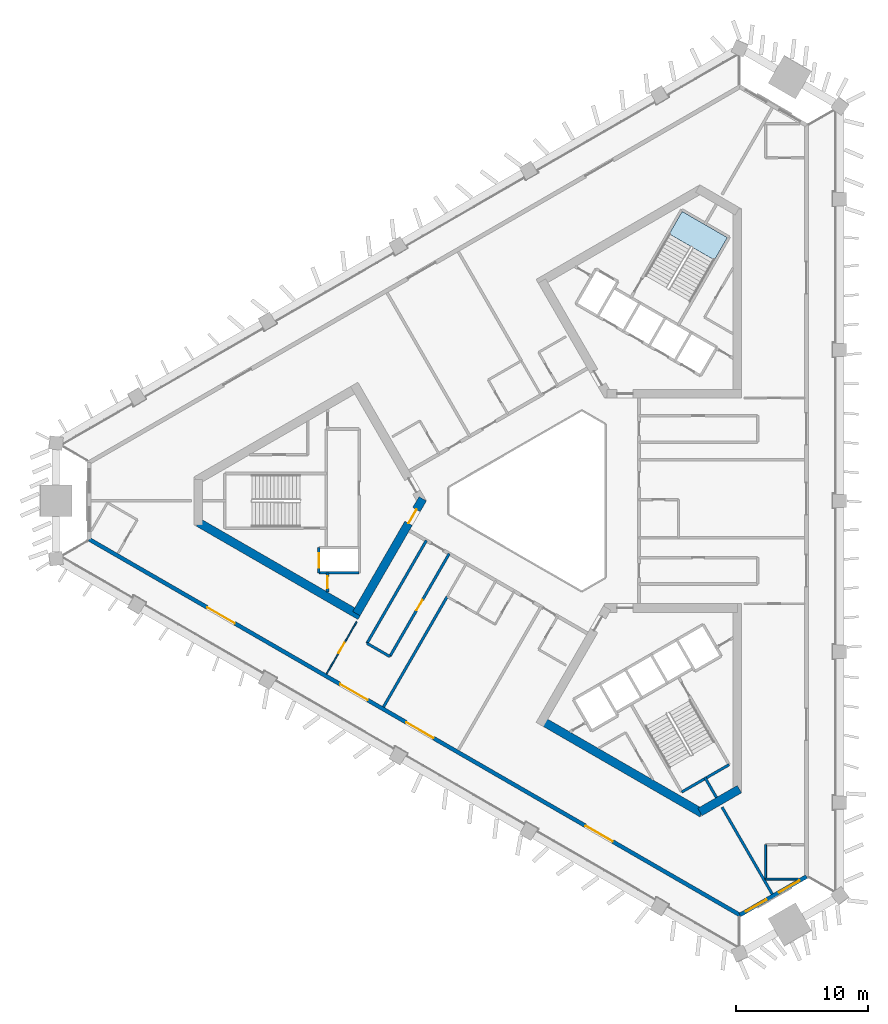
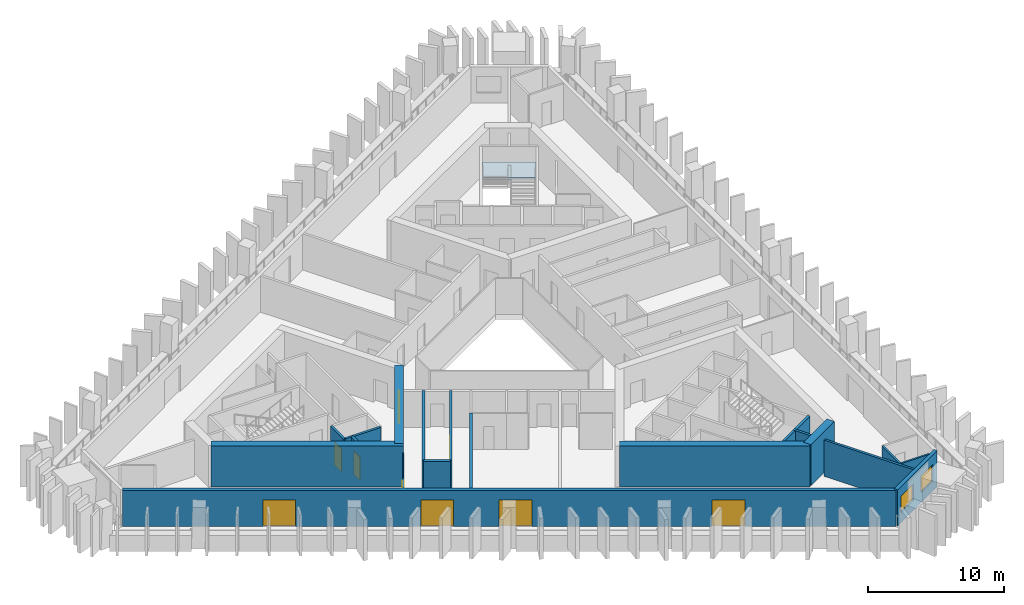
# One storey, part 2 of 11: 19 walls, 9 doors, 2 windows, 1 slab, 11 openings, 1 element without a shape of its own.
"""IFC4 building model written with IfcOpenShell, lengths in metres."""

import ifcopenshell
import ifcopenshell.guid

model = None  # the IFC model being written
_history = None  # IfcOwnerHistory: only IFC2X3 demands one
_inside = {}  # id of a spatial element -> (the spatial element, [elements in it])
_under = {}  # id of a project, library or spatial element -> (it, [spatial elements below it])
_declared = {}  # id of a project -> (the project, [libraries it declares])
_typed = {}  # id of a type object -> (the type object, [elements of that type])
_made_of = {}  # id of a material, layer set ... -> (it, [elements and type objects made of it])


def new_model(schema):
    """Start an empty IFC model of exactly this schema.

    Asked for "IFC4X3", IfcOpenShell would pick the latest addendum, in which some entities
    have other attributes; the version numbers below select the first issue.
    IFC2X3 requires an IfcOwnerHistory on every rooted entity: one is made here for all.
    """
    global model, _history
    if schema == "IFC4X3":
        model = ifcopenshell.file(schema_version=(4, 3, 0, 0))
    else:
        model = ifcopenshell.file(schema=schema)
    _inside.clear()
    _under.clear()
    _declared.clear()
    _typed.clear()
    _made_of.clear()
    _history = None
    if model.schema == "IFC2X3":
        org = make("IfcOrganization", Name="unknown")
        user = make(
            "IfcPersonAndOrganization",
            ThePerson=make("IfcPerson", FamilyName="unknown"),
            TheOrganization=org,
        )
        app = make(
            "IfcApplication",
            ApplicationDeveloper=org,
            Version="unknown",
            ApplicationFullName="unknown",
            ApplicationIdentifier="unknown",
        )
        _history = make(
            "IfcOwnerHistory",
            OwningUser=user,
            OwningApplication=app,
            ChangeAction="ADDED",
            CreationDate=0,
        )
    return model


def make(cls, **values):
    """One entity of the class cls with the attributes given. An attribute that is None is left unset."""
    return model.create_entity(
        cls, **{name: value for name, value in values.items() if value is not None}
    )


def rooted(cls, **values):
    """An entity with a GlobalId (a new one), such as an element, a storey or a relation."""
    return make(cls, GlobalId=ifcopenshell.guid.new(), OwnerHistory=_history, **values)


def si_unit(unit_type, name, prefix=None):
    """IfcSIUnit, for example si_unit("LENGTHUNIT", "METRE", prefix="MILLI")."""
    return make("IfcSIUnit", UnitType=unit_type, Prefix=prefix, Name=name)


def assignment(units):
    """IfcUnitAssignment: the units of a project."""
    return None if units is None else make("IfcUnitAssignment", Units=units)


def point(xyz):
    """IfcCartesianPoint."""
    return None if xyz is None else make("IfcCartesianPoint", Coordinates=xyz)


def direction(xyz):
    """IfcDirection."""
    return None if xyz is None else make("IfcDirection", DirectionRatios=xyz)


def frame(location, z_axis=None, x_axis=None):
    """IfcAxis2Placement3D, a coordinate frame: its origin and axes. An axis left out is left unset."""
    return make(
        "IfcAxis2Placement3D",
        Location=point(location),
        Axis=direction(z_axis),
        RefDirection=direction(x_axis),
    )


def frame_2d(location, x_axis=None):
    """IfcAxis2Placement2D, a coordinate frame in the plane: its origin and x axis."""
    return make(
        "IfcAxis2Placement2D", Location=point(location), RefDirection=direction(x_axis)
    )


def origin():
    """The frame at (0, 0, 0) with its axes left unset."""
    return frame((0.0, 0.0, 0.0))


def place(relative_to, where):
    """IfcLocalPlacement: puts the frame where relative to a parent placement (None: the world)."""
    return make(
        "IfcLocalPlacement", PlacementRelTo=relative_to, RelativePlacement=where
    )


def context(
    kind, dimensions, precision=None, world=None, true_north=None, identifier=None
):
    """IfcGeometricRepresentationContext, for example the 3D "Model" context."""
    return make(
        "IfcGeometricRepresentationContext",
        ContextIdentifier=identifier,
        ContextType=kind,
        CoordinateSpaceDimension=dimensions,
        Precision=precision,
        WorldCoordinateSystem=world,
        TrueNorth=true_north,
    )


def subcontext(parent, identifier, kind, view, scale=None):
    """IfcGeometricRepresentationSubContext, for example "Body" below "Model"."""
    return make(
        "IfcGeometricRepresentationSubContext",
        ContextIdentifier=identifier,
        ContextType=kind,
        ParentContext=parent,
        TargetScale=scale,
        TargetView=view,
    )


def project(units=None, contexts=None):
    """IfcProject with its units and contexts."""
    return rooted(
        "IfcProject",
        Name="project",
        RepresentationContexts=contexts,
        UnitsInContext=assignment(units),
    )


def spatial(cls, under=None, at=None, **own):
    """A site, building, storey or space (cls), placed at a placement, below another one or the project."""
    s = rooted(cls, ObjectPlacement=at, **own)
    if under is not None:
        _under.setdefault(under.id(), (under, []))[1].append(s)
    return s


def polyline(points):
    """IfcPolyline through the points."""
    return make("IfcPolyline", Points=[point(p) for p in points])


def profile(cls, at=None, kind="AREA", **sizes):
    """A parametric profile (cls). Its sizes go by their IFC names, for example OverallWidth=200.0."""
    return make(cls, ProfileType=kind, Position=at, **sizes)


def rectangle(**sizes):
    """IfcRectangleProfileDef."""
    return profile("IfcRectangleProfileDef", **sizes)


def outline(outer, holes=None, kind="AREA"):
    """IfcArbitraryClosedProfileDef: a profile drawn as a closed curve; with holes, ...WithVoids."""
    if holes is None:
        return make("IfcArbitraryClosedProfileDef", ProfileType=kind, OuterCurve=outer)
    return make(
        "IfcArbitraryProfileDefWithVoids",
        ProfileType=kind,
        OuterCurve=outer,
        InnerCurves=holes,
    )


def extrude(swept, where, along, depth):
    """IfcExtrudedAreaSolid: the profile swept, set in the frame where, extruded along a direction by depth."""
    return make(
        "IfcExtrudedAreaSolid",
        SweptArea=swept,
        Position=where,
        ExtrudedDirection=direction(along),
        Depth=depth,
    )


def shape(context_of_items, identifier, shape_type, items):
    """IfcShapeRepresentation: the items that make up one representation, for example the "Body"."""
    return make(
        "IfcShapeRepresentation",
        ContextOfItems=context_of_items,
        RepresentationIdentifier=identifier,
        RepresentationType=shape_type,
        Items=items,
    )


def material(Name=None, Category=None):
    """IfcMaterial."""
    return make("IfcMaterial", Name=Name, Category=Category)


def layer(
    of_material, thickness, ventilated=None, Name=None, Category=None, Priority=None
):
    """IfcMaterialLayer: one layer of a wall or slab, of a material (None: an air gap)."""
    return make(
        "IfcMaterialLayer",
        Material=of_material,
        LayerThickness=thickness,
        IsVentilated=ventilated,
        Name=Name,
        Category=Category,
        Priority=Priority,
    )


def layer_set(layers, Name=None):
    """IfcMaterialLayerSet."""
    return make("IfcMaterialLayerSet", MaterialLayers=layers, LayerSetName=Name)


def made_of(thing, what):
    """Note that an element or type object is made of a material, layer set ...; save() writes the relation."""
    if what is not None:
        _made_of.setdefault(what.id(), (what, []))[1].append(thing)
    return thing


def type_object(cls, material=None, **own):
    """A type object (cls), such as IfcWallType, which elements share."""
    return made_of(rooted(cls, **own), material)


def element(
    cls,
    number,
    at=None,
    inside=None,
    cuts=None,
    type_object=None,
    material=None,
    context=None,
    identifier="Body",
    shape_type=None,
    held_by="IfcProductDefinitionShape",
    body=None,
    shapes=None,
    **own,
):
    """One element of the class cls, such as IfcWall. Its Tag is "e" and its number.

    at: its placement. inside: the storey or other place that contains it. cuts: it is an
    opening in that element (IfcRelVoidsElement). A single representation is given by context,
    identifier, shape_type and body (its items); several are given by shapes. held_by: the class
    of the entity that holds the representations. save() writes the other relations.
    """
    e = rooted(cls, Tag="e%d" % number, ObjectPlacement=at, **own)
    if body is not None:
        shapes = [shape(context, identifier, shape_type, body)]
    if shapes is not None:
        e.Representation = make(held_by, Representations=shapes)
    if inside is not None:
        _inside.setdefault(inside.id(), (inside, []))[1].append(e)
    if cuts is not None:
        rooted(
            "IfcRelVoidsElement", RelatingBuildingElement=cuts, RelatedOpeningElement=e
        )
    if type_object is not None:
        _typed.setdefault(type_object.id(), (type_object, []))[1].append(e)
    return made_of(e, material)


def fill(opening, filler):
    """IfcRelFillsElement: the door or window that sits in an opening."""
    return rooted(
        "IfcRelFillsElement",
        RelatingOpeningElement=opening,
        RelatedBuildingElement=filler,
    )


def aggregate(whole, parts):
    """IfcRelAggregates: a whole, such as a stair, and the parts it consists of."""
    return rooted("IfcRelAggregates", RelatingObject=whole, RelatedObjects=parts)


def save(model, path):
    """Write the relations noted so far, then the file.

    IfcRelAggregates (storeys below a building ...), IfcRelContainedInSpatialStructure (elements
    in a storey), IfcRelDefinesByType, IfcRelAssociatesMaterial and IfcRelDeclares: one each for
    every whole, place, type object, material and project.
    """
    for whole, parts in _under.values():
        aggregate(whole, parts)
    for where, things in _inside.values():
        rooted(
            "IfcRelContainedInSpatialStructure",
            RelatedElements=things,
            RelatingStructure=where,
        )
    for kind, things in _typed.values():
        rooted("IfcRelDefinesByType", RelatedObjects=things, RelatingType=kind)
    for what, things in _made_of.values():
        rooted("IfcRelAssociatesMaterial", RelatedObjects=things, RelatingMaterial=what)
    for by, libraries in _declared.values():
        rooted("IfcRelDeclares", RelatingContext=by, RelatedDefinitions=libraries)
    model.write(path)


model = new_model("IFC4")

# Units and contexts
model_context = context("Model", 3, precision=1e-05, world=origin(), true_north=direction((0.0, 1.0)))
body_context = subcontext(model_context, "Body", "Model", "MODEL_VIEW")
ifc_project = project(units=[si_unit("LENGTHUNIT", "METRE"), si_unit("AREAUNIT", "SQUARE_METRE"), si_unit("VOLUMEUNIT", "CUBIC_METRE"), si_unit("PLANEANGLEUNIT", "RADIAN"), si_unit("MASSUNIT", "GRAM", prefix="KILO")], contexts=[model_context])

# Site, building, storey
site_placement = place(None, origin())
site = spatial("IfcSite", under=ifc_project, at=site_placement, CompositionType="ELEMENT")
building_placement = place(site_placement, origin())
building = spatial("IfcBuilding", under=site, at=building_placement, Name="Jabali Bay Hotel Tower and Convention Centre", CompositionType="ELEMENT")
storey_placement = place(building_placement, frame((0.0, 0.0, 114.199951171875)))
storey = spatial("IfcBuildingStorey", under=building, at=storey_placement, Name="L27", CompositionType="ELEMENT", Elevation=114.199951171875)

# Stair, slab
ifc_material_1 = material(Name="Concrete C40", Category="concrete")
stair_type = type_object("IfcStairType", Name="Exit stair 1900", PredefinedType="HALF_TURN_STAIR", material=ifc_material_1)
stair_placement = place(storey_placement, origin())
stair = element("IfcStair", 1, at=stair_placement, inside=storey, type_object=stair_type, Name="L27 Exit Stair 2", PredefinedType="HALF_TURN_STAIR")
ifc_layer_1 = layer(ifc_material_1, 0.199951171875)
ifc_layer_set_1 = layer_set([ifc_layer_1], Name="Concrete C40")
slab_type = type_object("IfcSlabType", Name="Stair landing 200", PredefinedType="LANDING", material=ifc_layer_set_1)
slab_placement = place(storey_placement, frame((0.0, 0.0, 1.650146484375)))
slab = element("IfcSlab", 2, at=slab_placement, type_object=slab_type, Name="ST2 landing 1", PredefinedType="LANDING", context=body_context, shape_type="SweptSolid", body=[
    extrude(outline(polyline([(87.81884765625, 98.2529296875), (88.80029296875, 99.952880859375), (85.379638671875, 101.927978515625), (84.398193359375, 100.22802734375), (87.81884765625, 98.2529296875)])), origin(), (0.0, 0.0, 1.0), 0.199951171875),
])
aggregate(stair, [slab])

# Wall, opening, door
ifc_layer_2 = layer(ifc_material_1, 0.199951171875)
ifc_layer_set_2 = layer_set([ifc_layer_2], Name="Concrete C40")
wall_type_1 = type_object("IfcWallType", Name="Core partition wall 200", PredefinedType="PARTITIONING", material=ifc_layer_set_2)
wall_1_placement = place(storey_placement, frame((58.5, 74.550048828125, 0.0), z_axis=(0.0, 0.0, 1.0), x_axis=(0.0, -1.0, 0.0)))
wall_1 = element("IfcWall", 3, at=wall_1_placement, inside=storey, type_object=wall_type_1, Name="Core wall 0.9 L27", PredefinedType="PARTITIONING", context=body_context, shape_type="SweptSolid", body=[
    extrude(rectangle(XDim=1.455078125, YDim=0.199951171875, at=frame_2d((0.7275390625, 0.0))), origin(), (0.0, 0.0, 1.0), 3.25),
])
opening_1_placement = place(wall_1_placement, frame((0.277587890625, 0.0, 0.0)))
opening_1 = element("IfcOpeningElement", 4, at=opening_1_placement, cuts=wall_1, Name="Opening D605", PredefinedType="OPENING", context=body_context, shape_type="SweptSolid", body=[
    extrude(rectangle(XDim=0.89990234375, YDim=2.10009765625, at=frame_2d((0.449951171875, 1.050048828125))), frame((0.0, 0.1103515625, 0.0), z_axis=(0.0, -1.0, 0.0), x_axis=(1.0, 0.0, 0.0)), (0.0, 0.0, 1.0), 0.220947265625),
])
ifc_material_2 = material(Name="Fire-rated steel door", Category="steel")
door_type_1 = type_object("IfcDoorType", Name="Vestibule fire door 900 x 2100", OperationType="NOTDEFINED", PredefinedType="NOTDEFINED", material=ifc_material_2)
door_1_placement = place(opening_1_placement, origin())
door_1 = element("IfcDoor", 5, at=door_1_placement, inside=storey, type_object=door_type_1, Name="Vestibule fire door D605", OperationType="SINGLE_SWING_LEFT", OverallHeight=2.10009765625, OverallWidth=0.89990234375, PredefinedType="NOTDEFINED", context=body_context, shape_type="SweptSolid", body=[
    extrude(rectangle(XDim=0.89990234375, YDim=2.10009765625, at=frame_2d((0.449951171875, 1.050048828125))), frame((0.0, 0.02490234375, 0.0), z_axis=(0.0, -1.0, 0.0), x_axis=(1.0, 0.0, 0.0)), (0.0, 0.0, 1.0), 0.050048828125),
])
fill(opening_1, door_1)

# Walls
wall_2_placement = place(storey_placement, frame((87.090087890625, 59.0595703125, 0.0), z_axis=(0.0, 0.0, 1.0), x_axis=(0.499944938281, -0.866057191349, 0.0)))
element("IfcWall", 6, at=wall_2_placement, inside=storey, type_object=wall_type_1, Name="Core wall 2.5 L27", PredefinedType="PARTITIONING", context=body_context, shape_type="SweptSolid", body=[
    extrude(rectangle(XDim=1.773193359375, YDim=0.199951171875, at=frame_2d((0.88671875, 0.0))), origin(), (0.0, 0.0, 1.0), 3.25),
])
ifc_layer_3 = layer(ifc_material_1, 0.199951171875)
ifc_layer_set_3 = layer_set([ifc_layer_3], Name="Concrete C40")
wall_type_2 = type_object("IfcWallType", Name="Core stair wall 200", PredefinedType="SOLIDWALL", material=ifc_layer_set_3)
wall_3_placement = place(storey_placement, frame((60.89990234375, 74.550048828125, 0.0), z_axis=(0.0, 0.0, 1.0), x_axis=(-1.0, 0.0, 0.0)))
element("IfcWall", 7, at=wall_3_placement, inside=storey, type_object=wall_type_2, Name="Core wall 0.6 L27", PredefinedType="SOLIDWALL", context=body_context, shape_type="SweptSolid", body=[
    extrude(rectangle(XDim=3.0498046875, YDim=0.199951171875, at=frame_2d((1.52490234375, 0.0))), origin(), (0.0, 0.0, 1.0), 3.25),
])

# Wall, opening, door
wall_4_placement = place(storey_placement, frame((57.85009765625, 76.449951171875, 0.0), z_axis=(0.0, 0.0, 1.0), x_axis=(0.0, -1.0, 0.0)))
wall_4 = element("IfcWall", 8, at=wall_4_placement, inside=storey, type_object=wall_type_2, Name="Core wall 0.11 L27", PredefinedType="SOLIDWALL", context=body_context, shape_type="SweptSolid", body=[
    extrude(rectangle(XDim=1.89990234375, YDim=0.199951171875, at=frame_2d((0.949951171875, 0.0))), origin(), (0.0, 0.0, 1.0), 3.25),
])
opening_2_placement = place(wall_4_placement, frame((0.39990234375, 0.0, 0.0)))
opening_2 = element("IfcOpeningElement", 9, at=opening_2_placement, cuts=wall_4, Name="Opening LD5-L27", PredefinedType="OPENING", context=body_context, shape_type="SweptSolid", body=[
    extrude(rectangle(XDim=1.10009765625, YDim=2.10009765625, at=frame_2d((0.550048828125, 1.050048828125))), frame((0.0, 0.1103515625, 0.0), z_axis=(0.0, -1.0, 0.0), x_axis=(1.0, 0.0, 0.0)), (0.0, 0.0, 1.0), 0.220947265625),
])
ifc_material_3 = material(Name="Stainless steel landing door", Category="steel")
door_type_2 = type_object("IfcDoorType", Name="Landing door 1100 x 2100", OperationType="NOTDEFINED", PredefinedType="NOTDEFINED", material=ifc_material_3)
door_2_placement = place(opening_2_placement, origin())
door_2 = element("IfcDoor", 10, at=door_2_placement, inside=storey, type_object=door_type_2, Name="Landing doors LD5-L27", OperationType="SLIDING_TO_RIGHT", OverallHeight=2.10009765625, OverallWidth=1.10009765625, PredefinedType="NOTDEFINED", context=body_context, shape_type="SweptSolid", body=[
    extrude(rectangle(XDim=1.10009765625, YDim=2.10009765625, at=frame_2d((0.550048828125, 1.050048828125))), frame((0.0, 0.02490234375, 0.0), z_axis=(0.0, -1.0, 0.0), x_axis=(1.0, 0.0, 0.0)), (0.0, 0.0, 1.0), 0.050048828125),
])
fill(opening_2, door_2)

# Walls
wall_5_placement = place(storey_placement, frame((85.343017578125, 57.935302734375, 0.0), z_axis=(0.0, 0.0, 1.0), x_axis=(0.866004344652, 0.500036473714, 0.0)))
element("IfcWall", 11, at=wall_5_placement, inside=storey, type_object=wall_type_2, Name="Core wall 2.17 L27", PredefinedType="SOLIDWALL", context=body_context, shape_type="SweptSolid", body=[
    extrude(rectangle(XDim=4.150146484375, YDim=0.199951171875, at=frame_2d((2.0751953125, 0.0))), origin(), (0.0, 0.0, 1.0), 3.25),
])
ifc_material_4 = material(Name="Concrete C60", Category="concrete")
ifc_layer_4 = layer(ifc_material_4, 0.64990234375)
ifc_layer_set_4 = layer_set([ifc_layer_4], Name="Concrete C60")
wall_type_3 = type_object("IfcWallType", Name="Core wall 650", PredefinedType="SHEAR", material=ifc_layer_set_4)
wall_6_placement = place(storey_placement, frame((48.721923828125, 78.364990234375, 0.0), z_axis=(0.0, 0.0, 1.0), x_axis=(0.866020036431, -0.500009296414, 0.0)))
element("IfcWall", 12, at=wall_6_placement, inside=storey, type_object=wall_type_3, Name="Core wall 1.4 L27", PredefinedType="SHEAR", context=body_context, shape_type="SweptSolid", body=[
    extrude(rectangle(XDim=14.145751953125, YDim=0.64990234375, at=frame_2d((7.07275390625, 0.0))), origin(), (0.0, 0.0, 1.0), 3.699951171875),
])

# Wall, opening, door
wall_7_placement = place(storey_placement, frame((60.691162109375, 71.45458984375, 0.0), z_axis=(0.0, 0.0, 1.0), x_axis=(0.499983075189, 0.866035175108, 0.0)))
wall_7 = element("IfcWall", 13, at=wall_7_placement, inside=storey, type_object=wall_type_3, Name="Core wall 1.5 L27", PredefinedType="SHEAR", context=body_context, shape_type="SweptSolid", body=[
    extrude(rectangle(XDim=10.054931640625, YDim=0.64990234375, at=frame_2d((5.02734375, 0.0))), origin(), (0.0, 0.0, 1.0), 3.699951171875),
])
opening_3_placement = place(wall_7_placement, frame((7.905029296875, 0.0, 0.0)))
opening_3 = element("IfcOpeningElement", 14, at=opening_3_placement, cuts=wall_7, Name="Opening D603", PredefinedType="OPENING", context=body_context, shape_type="SweptSolid", body=[
    extrude(rectangle(XDim=1.199951171875, YDim=2.10009765625, at=frame_2d((0.60009765625, 1.050048828125))), frame((0.0, 0.33544921875, 0.0), z_axis=(0.0, -1.0, 0.0), x_axis=(1.0, 0.0, 0.0)), (0.0, 0.0, 1.0), 0.6708984375),
])
door_type_3 = type_object("IfcDoorType", Name="Corridor end fire door 1200 x 2100", OperationType="NOTDEFINED", PredefinedType="NOTDEFINED", material=ifc_material_2)
door_3_placement = place(opening_3_placement, origin())
door_3 = element("IfcDoor", 15, at=door_3_placement, inside=storey, type_object=door_type_3, Name="Corridor end fire door D603", OperationType="SINGLE_SWING_LEFT", OverallHeight=2.10009765625, OverallWidth=1.199951171875, PredefinedType="NOTDEFINED", context=body_context, shape_type="SweptSolid", body=[
    extrude(rectangle(XDim=1.199951171875, YDim=2.10009765625, at=frame_2d((0.60009765625, 1.050048828125))), frame((0.0, 0.02490234375, 0.0), z_axis=(0.0, -1.0, 0.0), x_axis=(1.0, 0.0, 0.0)), (0.0, 0.0, 1.0), 0.050048828125),
])
fill(opening_3, door_3)

# Walls
wall_8_placement = place(storey_placement, frame((74.75390625, 63.33544921875, 0.0), z_axis=(0.0, 0.0, 1.0), x_axis=(0.866026250715, -0.49999853307, 0.0)))
element("IfcWall", 16, at=wall_8_placement, inside=storey, type_object=wall_type_3, Name="Core wall 3.2 L27", PredefinedType="SHEAR", context=body_context, shape_type="SweptSolid", body=[
    extrude(rectangle(XDim=14.00830078125, YDim=0.64990234375, at=frame_2d((7.004150390625, 0.0))), origin(), (0.0, 0.0, 1.0), 3.699951171875),
])
wall_9_placement = place(storey_placement, frame((86.72314453125, 56.425048828125, 0.0), z_axis=(0.0, 0.0, 1.0), x_axis=(0.866031550877, 0.499989352773, 0.0)))
element("IfcWall", 17, at=wall_9_placement, inside=storey, type_object=wall_type_3, Name="Core wall 3.3 L27", PredefinedType="SHEAR", context=body_context, shape_type="SweptSolid", body=[
    extrude(rectangle(XDim=3.45751953125, YDim=0.64990234375, at=frame_2d((1.728759765625, 0.0))), origin(), (0.0, 0.0, 1.0), 3.699951171875),
])

# Wall, openings, windows
ifc_layer_5 = layer(ifc_material_1, 0.300048828125)
ifc_layer_set_5 = layer_set([ifc_layer_5], Name="Concrete C40")
wall_type_4 = type_object("IfcWallType", Name="External wall 300", PredefinedType="SOLIDWALL", material=ifc_layer_set_5)
wall_10_placement = place(storey_placement, frame((94.800048828125, 51.53125, 0.0), z_axis=(0.0, 0.0, 1.0), x_axis=(-0.866016705814, -0.500015065024, 0.0)))
wall_10 = element("IfcWall", 18, at=wall_10_placement, inside=storey, type_object=wall_type_4, Name="External wall south-east chamfer L27", PredefinedType="SOLIDWALL", context=body_context, shape_type="SweptSolid", body=[
    extrude(rectangle(XDim=5.825927734375, YDim=0.300048828125, at=frame_2d((2.9130859375, 0.0))), origin(), (0.0, 0.0, 1.0), 3.25),
])
opening_4_placement = place(wall_10_placement, frame((0.6123046875, 0.0, 0.89990234375)))
opening_4 = element("IfcOpeningElement", 19, at=opening_4_placement, cuts=wall_10, Name="Opening W1", PredefinedType="OPENING", context=body_context, shape_type="SweptSolid", body=[
    extrude(rectangle(XDim=1.800048828125, YDim=1.5, at=frame_2d((0.89990234375, 0.75))), frame((0.0, 0.16064453125, 0.0), z_axis=(0.0, -1.0, 0.0), x_axis=(1.0, 0.0, 0.0)), (0.0, 0.0, 1.0), 0.321044921875),
])
opening_5_placement = place(wall_10_placement, frame((3.51220703125, 0.0, 0.89990234375)))
opening_5 = element("IfcOpeningElement", 20, at=opening_5_placement, cuts=wall_10, Name="Opening W1", PredefinedType="OPENING", context=body_context, shape_type="SweptSolid", body=[
    extrude(rectangle(XDim=1.800048828125, YDim=1.5, at=frame_2d((0.89990234375, 0.75))), frame((0.0, 0.16064453125, 0.0), z_axis=(0.0, -1.0, 0.0), x_axis=(1.0, 0.0, 0.0)), (0.0, 0.0, 1.0), 0.321044921875),
])
ifc_material_5 = material(Name="Glass", Category="glass")
window_type = type_object("IfcWindowType", Name="Window 1800 x 1500", PartitioningType="SINGLE_PANEL", PredefinedType="WINDOW", material=ifc_material_5)
window_1_placement = place(opening_4_placement, origin())
window_1 = element("IfcWindow", 21, at=window_1_placement, inside=storey, type_object=window_type, Name="Window 2701", OverallHeight=1.5, OverallWidth=1.800048828125, PartitioningType="SINGLE_PANEL", PredefinedType="WINDOW", context=body_context, shape_type="SweptSolid", body=[
    extrude(rectangle(XDim=1.800048828125, YDim=1.5, at=frame_2d((0.89990234375, 0.75))), frame((0.0, 0.030029296875, 0.0), z_axis=(0.0, -1.0, 0.0), x_axis=(1.0, 0.0, 0.0)), (0.0, 0.0, 1.0), 0.06005859375),
])
fill(opening_4, window_1)
window_2_placement = place(opening_5_placement, origin())
window_2 = element("IfcWindow", 22, at=window_2_placement, inside=storey, type_object=window_type, Name="Window 2712", OverallHeight=1.5, OverallWidth=1.800048828125, PartitioningType="SINGLE_PANEL", PredefinedType="WINDOW", context=body_context, shape_type="SweptSolid", body=[
    extrude(rectangle(XDim=1.800048828125, YDim=1.5, at=frame_2d((0.89990234375, 0.75))), frame((0.0, 0.030029296875, 0.0), z_axis=(0.0, -1.0, 0.0), x_axis=(1.0, 0.0, 0.0)), (0.0, 0.0, 1.0), 0.06005859375),
])
fill(opening_5, window_2)

# Wall, openings, doors
wall_11_placement = place(storey_placement, frame((89.754638671875, 48.6181640625, 0.0), z_axis=(0.0, 0.0, 1.0), x_axis=(-0.866025424614, 0.499999963922, 0.0)))
wall_11 = element("IfcWall", 23, at=wall_11_placement, inside=storey, type_object=wall_type_4, Name="External wall south-west face L27", PredefinedType="SOLIDWALL", context=body_context, shape_type="SweptSolid", body=[
    extrude(rectangle(XDim=56.9375, YDim=0.300048828125, at=frame_2d((28.46875, 0.0))), origin(), (0.0, 0.0, 1.0), 3.25),
])
opening_6_placement = place(wall_11_placement, frame((32.56884765625, 0.0, 0.0)))
opening_6 = element("IfcOpeningElement", 24, at=opening_6_placement, cuts=wall_11, Name="Opening SD1", PredefinedType="OPENING", context=body_context, shape_type="SweptSolid", body=[
    extrude(rectangle(XDim=2.39990234375, YDim=2.39990234375, at=frame_2d((1.199951171875, 1.199951171875))), frame((0.0, 0.16064453125, 0.0), z_axis=(0.0, -1.0, 0.0), x_axis=(1.0, 0.0, 0.0)), (0.0, 0.0, 1.0), 0.321044921875),
])
opening_7_placement = place(wall_11_placement, frame((44.202392578125, 0.0, 0.0)))
opening_7 = element("IfcOpeningElement", 25, at=opening_7_placement, cuts=wall_11, Name="Opening SD1", PredefinedType="OPENING", context=body_context, shape_type="SweptSolid", body=[
    extrude(rectangle(XDim=2.39990234375, YDim=2.39990234375, at=frame_2d((1.199951171875, 1.199951171875))), frame((0.0, 0.16064453125, 0.0), z_axis=(0.0, -1.0, 0.0), x_axis=(1.0, 0.0, 0.0)), (0.0, 0.0, 1.0), 0.321044921875),
])
opening_8_placement = place(wall_11_placement, frame((11.120361328125, 0.0, 0.0)))
opening_8 = element("IfcOpeningElement", 26, at=opening_8_placement, cuts=wall_11, Name="Opening SD1", PredefinedType="OPENING", context=body_context, shape_type="SweptSolid", body=[
    extrude(rectangle(XDim=2.39990234375, YDim=2.39990234375, at=frame_2d((1.199951171875, 1.199951171875))), frame((0.0, 0.16064453125, 0.0), z_axis=(0.0, -1.0, 0.0), x_axis=(1.0, 0.0, 0.0)), (0.0, 0.0, 1.0), 0.321044921875),
])
opening_9_placement = place(wall_11_placement, frame((26.801025390625, 0.0, 0.0)))
opening_9 = element("IfcOpeningElement", 27, at=opening_9_placement, cuts=wall_11, Name="Opening SD1", PredefinedType="OPENING", context=body_context, shape_type="SweptSolid", body=[
    extrude(rectangle(XDim=2.39990234375, YDim=2.39990234375, at=frame_2d((1.199951171875, 1.199951171875))), frame((0.0, 0.16064453125, 0.0), z_axis=(0.0, -1.0, 0.0), x_axis=(1.0, 0.0, 0.0)), (0.0, 0.0, 1.0), 0.321044921875),
])
door_type_4 = type_object("IfcDoorType", Name="Loggia sliding door 2400 x 2400", OperationType="NOTDEFINED", PredefinedType="NOTDEFINED", material=ifc_material_5)
door_4_placement = place(opening_6_placement, origin())
door_4 = element("IfcDoor", 28, at=door_4_placement, inside=storey, type_object=door_type_4, Name="Loggia sliding door 2709", OperationType="SLIDING_TO_LEFT", OverallHeight=2.39990234375, OverallWidth=2.39990234375, PredefinedType="NOTDEFINED", context=body_context, shape_type="SweptSolid", body=[
    extrude(rectangle(XDim=2.39990234375, YDim=2.39990234375, at=frame_2d((1.199951171875, 1.199951171875))), frame((0.0, 0.02490234375, 0.0), z_axis=(0.0, -1.0, 0.0), x_axis=(1.0, 0.0, 0.0)), (0.0, 0.0, 1.0), 0.050048828125),
])
fill(opening_6, door_4)
door_5_placement = place(opening_7_placement, origin())
door_5 = element("IfcDoor", 29, at=door_5_placement, inside=storey, type_object=door_type_4, Name="Loggia sliding door 2709", OperationType="SLIDING_TO_RIGHT", OverallHeight=2.39990234375, OverallWidth=2.39990234375, PredefinedType="NOTDEFINED", context=body_context, shape_type="SweptSolid", body=[
    extrude(rectangle(XDim=2.39990234375, YDim=2.39990234375, at=frame_2d((1.199951171875, 1.199951171875))), frame((0.0, 0.02490234375, 0.0), z_axis=(0.0, -1.0, 0.0), x_axis=(1.0, 0.0, 0.0)), (0.0, 0.0, 1.0), 0.050048828125),
])
fill(opening_7, door_5)
door_6_placement = place(opening_8_placement, origin())
door_6 = element("IfcDoor", 30, at=door_6_placement, inside=storey, type_object=door_type_4, Name="Loggia sliding door 2712", OperationType="SLIDING_TO_LEFT", OverallHeight=2.39990234375, OverallWidth=2.39990234375, PredefinedType="NOTDEFINED", context=body_context, shape_type="SweptSolid", body=[
    extrude(rectangle(XDim=2.39990234375, YDim=2.39990234375, at=frame_2d((1.199951171875, 1.199951171875))), frame((0.0, 0.02490234375, 0.0), z_axis=(0.0, -1.0, 0.0), x_axis=(1.0, 0.0, 0.0)), (0.0, 0.0, 1.0), 0.050048828125),
])
fill(opening_8, door_6)
door_7_placement = place(opening_9_placement, origin())
door_7 = element("IfcDoor", 31, at=door_7_placement, inside=storey, type_object=door_type_4, Name="Loggia sliding door 2711", OperationType="SLIDING_TO_RIGHT", OverallHeight=2.39990234375, OverallWidth=2.39990234375, PredefinedType="NOTDEFINED", context=body_context, shape_type="SweptSolid", body=[
    extrude(rectangle(XDim=2.39990234375, YDim=2.39990234375, at=frame_2d((1.199951171875, 1.199951171875))), frame((0.0, 0.02490234375, 0.0), z_axis=(0.0, -1.0, 0.0), x_axis=(1.0, 0.0, 0.0)), (0.0, 0.0, 1.0), 0.050048828125),
])
fill(opening_9, door_7)

# Wall, opening, door
ifc_material_6 = material(Name="Plasterboard on steel stud", Category="steel")
ifc_layer_6 = layer(ifc_material_6, 0.10009765625)
ifc_layer_set_6 = layer_set([ifc_layer_6], Name="Plasterboard on steel stud")
wall_type_5 = type_object("IfcWallType", Name="Partition 100 unit", PredefinedType="PARTITIONING", material=ifc_layer_set_6)
wall_12_placement = place(storey_placement, frame((60.71044921875, 70.83837890625, 0.0), z_axis=(0.0, 0.0, 1.0), x_axis=(-0.499958188752, -0.866049542174, 0.0)))
wall_12 = element("IfcWall", 32, at=wall_12_placement, inside=storey, type_object=wall_type_5, Name="Partition P02 L27 032", PredefinedType="PARTITIONING", context=body_context, shape_type="SweptSolid", body=[
    extrude(rectangle(XDim=4.572265625, YDim=0.10009765625, at=frame_2d((2.2861328125, 0.0))), origin(), (0.0, 0.0, 1.0), 3.25),
])
opening_10_placement = place(wall_12_placement, frame((1.8359375, 0.0, 0.0)))
opening_10 = element("IfcOpeningElement", 33, at=opening_10_placement, cuts=wall_12, Name="Opening 2718", PredefinedType="OPENING", context=body_context, shape_type="SweptSolid", body=[
    extrude(rectangle(XDim=0.89990234375, YDim=2.10009765625, at=frame_2d((0.449951171875, 1.050048828125))), frame((0.0, 0.060546875, 0.0), z_axis=(0.0, -1.0, 0.0), x_axis=(1.0, 0.0, 0.0)), (0.0, 0.0, 1.0), 0.12109375),
])
ifc_material_7 = material(Name="Timber", Category="wood")
door_type_5 = type_object("IfcDoorType", Name="Internal door 900 x 2100", OperationType="NOTDEFINED", PredefinedType="NOTDEFINED", material=ifc_material_7)
door_8_placement = place(opening_10_placement, origin())
door_8 = element("IfcDoor", 34, at=door_8_placement, inside=storey, type_object=door_type_5, Name="Door 2718", OperationType="SINGLE_SWING_LEFT", OverallHeight=2.10009765625, OverallWidth=0.89990234375, PredefinedType="NOTDEFINED", context=body_context, shape_type="SweptSolid", body=[
    extrude(rectangle(XDim=0.89990234375, YDim=2.10009765625, at=frame_2d((0.449951171875, 1.050048828125))), frame((0.0, 0.02490234375, 0.0), z_axis=(0.0, -1.0, 0.0), x_axis=(1.0, 0.0, 0.0)), (0.0, 0.0, 1.0), 0.050048828125),
])
fill(opening_10, door_8)

# Walls
ifc_layer_7 = layer(ifc_material_6, 0.14990234375)
ifc_layer_set_7 = layer_set([ifc_layer_7], Name="Plasterboard on steel stud")
wall_type_6 = type_object("IfcWallType", Name="Partition 150 wet", PredefinedType="PARTITIONING", material=ifc_layer_set_7)
wall_13_placement = place(storey_placement, frame((94.17919921875, 51.3447265625, 0.0), z_axis=(0.0, 0.0, 1.0), x_axis=(-1.0, 0.0, 0.0)))
element("IfcWall", 35, at=wall_13_placement, inside=storey, type_object=wall_type_6, Name="Partition P03 L27 007", PredefinedType="PARTITIONING", context=body_context, shape_type="SweptSolid", body=[
    extrude(rectangle(XDim=2.4775390625, YDim=0.14990234375, at=frame_2d((1.23876953125, 0.0))), origin(), (0.0, 0.0, 1.0), 3.25),
])
wall_14_placement = place(storey_placement, frame((91.70166015625, 51.3447265625, 0.0), z_axis=(0.0, 0.0, 1.0), x_axis=(0.0, 1.0, 0.0)))
element("IfcWall", 36, at=wall_14_placement, inside=storey, type_object=wall_type_6, Name="Partition P03 L27 008", PredefinedType="PARTITIONING", context=body_context, shape_type="SweptSolid", body=[
    extrude(rectangle(XDim=2.60009765625, YDim=0.14990234375, at=frame_2d((1.300048828125, 0.0))), origin(), (0.0, 0.0, 1.0), 3.25),
])
ifc_layer_8 = layer(ifc_material_6, 0.199951171875)
ifc_layer_set_8 = layer_set([ifc_layer_8], Name="Plasterboard on steel stud")
wall_type_7 = type_object("IfcWallType", Name="Partition 200 party", PredefinedType="PARTITIONING", material=ifc_layer_set_8)
wall_15_placement = place(storey_placement, frame((88.40185546875, 56.789306640625, 0.0), z_axis=(0.0, 0.0, 1.0), x_axis=(0.500017062213, -0.866015552687, 0.0)))
element("IfcWall", 37, at=wall_15_placement, inside=storey, type_object=wall_type_7, Name="Partition P01 L27 010", PredefinedType="PARTITIONING", context=body_context, shape_type="SweptSolid", body=[
    extrude(rectangle(XDim=7.603759765625, YDim=0.199951171875, at=frame_2d((3.8017578125, 0.0))), origin(), (0.0, 0.0, 1.0), 3.25),
])

# Wall, opening, door
wall_16_placement = place(storey_placement, frame((67.72607421875, 76.001220703125, 0.0), z_axis=(0.0, 0.0, 1.0), x_axis=(-0.5000018851, -0.866024315419, 0.0)))
wall_16 = element("IfcWall", 38, at=wall_16_placement, inside=storey, type_object=wall_type_7, Name="Partition P01 L27 033", PredefinedType="PARTITIONING", context=body_context, shape_type="SweptSolid", body=[
    extrude(rectangle(XDim=9.0, YDim=0.199951171875, at=frame_2d((4.5, 0.0))), origin(), (0.0, 0.0, 1.0), 3.25),
])
opening_11_placement = place(wall_16_placement, frame((4.050048828125, 0.0, 0.0)))
opening_11 = element("IfcOpeningElement", 39, at=opening_11_placement, cuts=wall_16, Name="Opening 2720", PredefinedType="OPENING", context=body_context, shape_type="SweptSolid", body=[
    extrude(rectangle(XDim=0.89990234375, YDim=2.10009765625, at=frame_2d((0.449951171875, 1.050048828125))), frame((0.0, 0.1103515625, 0.0), z_axis=(0.0, -1.0, 0.0), x_axis=(1.0, 0.0, 0.0)), (0.0, 0.0, 1.0), 0.220947265625),
])
door_9_placement = place(opening_11_placement, origin())
door_9 = element("IfcDoor", 40, at=door_9_placement, inside=storey, type_object=door_type_5, Name="Door 2720", OperationType="SINGLE_SWING_LEFT", OverallHeight=2.10009765625, OverallWidth=0.89990234375, PredefinedType="NOTDEFINED", context=body_context, shape_type="SweptSolid", body=[
    extrude(rectangle(XDim=0.89990234375, YDim=2.10009765625, at=frame_2d((0.449951171875, 1.050048828125))), frame((0.0, 0.02490234375, 0.0), z_axis=(0.0, -1.0, 0.0), x_axis=(1.0, 0.0, 0.0)), (0.0, 0.0, 1.0), 0.050048828125),
])
fill(opening_11, door_9)

# Walls
wall_17_placement = place(storey_placement, frame((63.22607421875, 68.20703125, 0.0), z_axis=(0.0, 0.0, 1.0), x_axis=(-0.866041268327, 0.499972520799, 0.0)))
element("IfcWall", 41, at=wall_17_placement, inside=storey, type_object=wall_type_7, Name="Partition P01 L27 034", PredefinedType="PARTITIONING", context=body_context, shape_type="SweptSolid", body=[
    extrude(rectangle(XDim=2.0, YDim=0.199951171875, at=frame_2d((1.0, 0.0))), origin(), (0.0, 0.0, 1.0), 3.25),
])
wall_18_placement = place(storey_placement, frame((61.493896484375, 69.20703125, 0.0), z_axis=(0.0, 0.0, 1.0), x_axis=(0.5000018851, 0.866024315419, 0.0)))
element("IfcWall", 42, at=wall_18_placement, inside=storey, type_object=wall_type_7, Name="Partition P01 L27 035", PredefinedType="PARTITIONING", context=body_context, shape_type="SweptSolid", body=[
    extrude(rectangle(XDim=9.0, YDim=0.199951171875, at=frame_2d((4.5, 0.0))), origin(), (0.0, 0.0, 1.0), 3.25),
])
wall_19_placement = place(storey_placement, frame((62.744384765625, 64.384521484375, 0.0), z_axis=(0.0, 0.0, 1.0), x_axis=(0.500007845664, 0.866020874041, 0.0)))
element("IfcWall", 43, at=wall_19_placement, inside=storey, type_object=wall_type_7, Name="Partition P01 L27 036", PredefinedType="PARTITIONING", context=body_context, shape_type="SweptSolid", body=[
    extrude(rectangle(XDim=9.651123046875, YDim=0.199951171875, at=frame_2d((4.82568359375, 0.0))), origin(), (0.0, 0.0, 1.0), 3.25),
])

save(model, "model.ifc")
